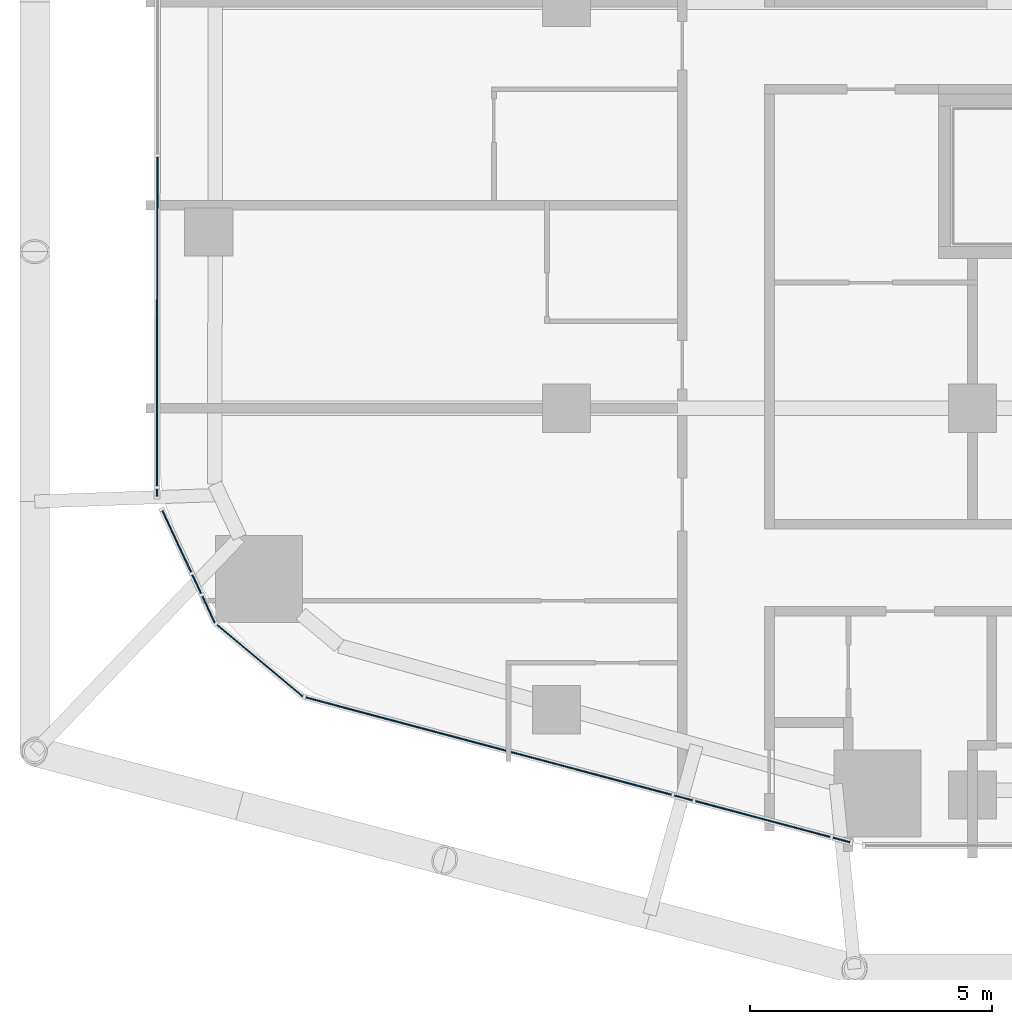
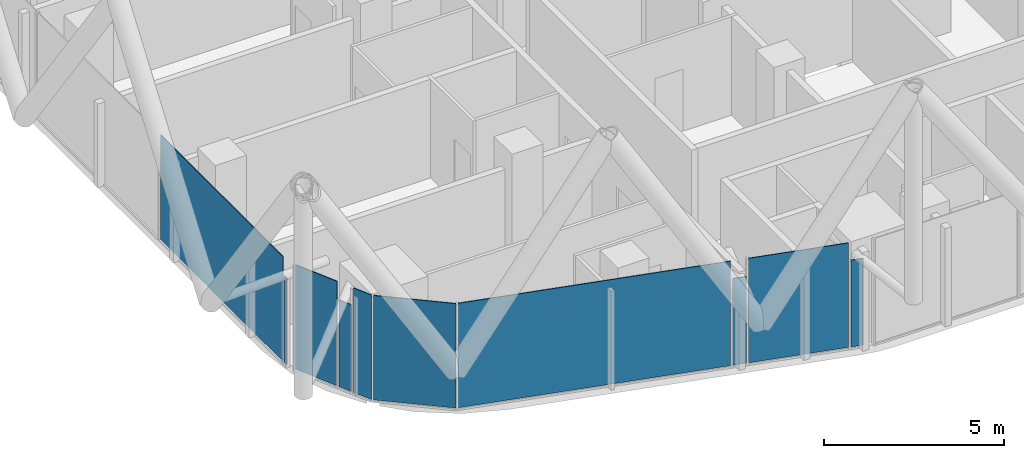
# One storey, part 19 of 38: 10 plates, 10 elements without a shape of their own.
"""IFC4 building model written with IfcOpenShell, lengths in metres."""

from ifc_helpers import new_model, si_unit, direction, frame, origin, origin_2d, place, context, subcontext, project, spatial, rectangle, extrude, material, layer, layer_set, type_object, element, aggregate, save


model = new_model("IFC4")

# Units and contexts
model_context = context("Model", 3, precision=1e-05, world=origin(), true_north=direction((0.0, 1.0)))
body_context = subcontext(model_context, "Body", "Model", "MODEL_VIEW")
ifc_project = project(units=[si_unit("LENGTHUNIT", "METRE"), si_unit("AREAUNIT", "SQUARE_METRE"), si_unit("VOLUMEUNIT", "CUBIC_METRE"), si_unit("PLANEANGLEUNIT", "RADIAN"), si_unit("MASSUNIT", "GRAM", prefix="KILO")], contexts=[model_context])

# Site, building, storey
site_placement = place(None, origin())
site = spatial("IfcSite", under=ifc_project, at=site_placement, CompositionType="ELEMENT")
building_placement = place(site_placement, origin())
building = spatial("IfcBuilding", under=site, at=building_placement, Name="Marenta Gate Hotel Tower", CompositionType="ELEMENT")
storey_placement = place(building_placement, frame((0.0, 0.0, 54.5)))
storey = spatial("IfcBuildingStorey", under=building, at=storey_placement, Name="L11", CompositionType="ELEMENT", Elevation=54.5)

# Curtain wall, plate
ifc_material_1 = material(Name="Tinted insulated glass in bronze anodised frame", Category="glass")
ifc_layer_1 = layer(ifc_material_1, 0.1201171875)
ifc_layer_set_1 = layer_set([ifc_layer_1], Name="Tinted insulated glass in bronze anodised frame")
curtain_wall_type = type_object("IfcCurtainWallType", Name="Tower unitised curtain wall CW1", PredefinedType="NOTDEFINED", material=ifc_layer_set_1)
curtain_wall_1_placement = place(storey_placement, origin())
curtain_wall_1 = element("IfcCurtainWall", 1, at=curtain_wall_1_placement, inside=storey, type_object=curtain_wall_type, Name="CW1 run G08", PredefinedType="NOTDEFINED")
ifc_material_2 = material(Name="Tinted insulated glass", Category="glass")
ifc_layer_2 = layer(ifc_material_2, 0.028076171875)
ifc_layer_set_2 = layer_set([ifc_layer_2], Name="Tinted insulated glass")
plate_type = type_object("IfcPlateType", Name="Glass panel CW1 28 mm tinted insulated unit", PredefinedType="CURTAIN_PANEL", material=ifc_layer_set_2)
plate_1_placement = place(storey_placement, frame((-29.467529296875, -6.60888671875, 0.06005859375), z_axis=(0.0, 0.0, 1.0), x_axis=(-0.00156461532, -0.999998775989, 0.0)))
plate_1 = element("IfcPlate", 2, at=plate_1_placement, type_object=plate_type, Name="CW1 panel 3.1", PredefinedType="CURTAIN_PANEL", context=body_context, shape_type="SweptSolid", body=[
    extrude(rectangle(XDim=6.80859375, YDim=0.028076171875, at=origin_2d()), origin(), (0.0, 0.0, 1.0), 3.5400390625),
])
aggregate(curtain_wall_1, [plate_1])

curtain_wall_2_placement = place(storey_placement, origin())
curtain_wall_2 = element("IfcCurtainWall", 3, at=curtain_wall_2_placement, inside=storey, type_object=curtain_wall_type, Name="CW1 run G09", PredefinedType="NOTDEFINED")
plate_2_placement = place(storey_placement, frame((-29.47314453125, -10.144775390625, 0.06005859375), z_axis=(0.0, 0.0, 1.0), x_axis=(-0.001523227487, -0.999998839888, 0.0)))
plate_2 = element("IfcPlate", 4, at=plate_2_placement, type_object=plate_type, Name="CW1 panel 1.1", PredefinedType="CURTAIN_PANEL", context=body_context, shape_type="SweptSolid", body=[
    extrude(rectangle(XDim=0.142578125, YDim=0.028076171875, at=origin_2d()), origin(), (0.0, 0.0, 1.0), 2.9404296875),
])
aggregate(curtain_wall_2, [plate_2])

curtain_wall_3_placement = place(storey_placement, origin())
curtain_wall_3 = element("IfcCurtainWall", 5, at=curtain_wall_3_placement, inside=storey, type_object=curtain_wall_type, Name="CW1 run G10", PredefinedType="NOTDEFINED")
plate_3_placement = place(storey_placement, frame((-29.0625, -11.15478515625, 0.06005859375), z_axis=(0.0, 0.0, 1.0), x_axis=(0.423374568314, -0.905954731156, 0.0)))
plate_3 = element("IfcPlate", 6, at=plate_3_placement, type_object=plate_type, Name="CW1 panel 1.1", PredefinedType="CURTAIN_PANEL", context=body_context, shape_type="SweptSolid", body=[
    extrude(rectangle(XDim=1.406005859375, YDim=0.028076171875, at=origin_2d()), origin(), (0.0, 0.0, 1.0), 3.5400390625),
])
aggregate(curtain_wall_3, [plate_3])

curtain_wall_4_placement = place(storey_placement, origin())
curtain_wall_4 = element("IfcCurtainWall", 7, at=curtain_wall_4_placement, inside=storey, type_object=curtain_wall_type, Name="CW1 run G11", PredefinedType="NOTDEFINED")
plate_4_placement = place(storey_placement, frame((-28.6494140625, -12.0390625, 0.06005859375), z_axis=(0.0, 0.0, 1.0), x_axis=(0.423268429691, -0.906004324729, 0.0)))
plate_4 = element("IfcPlate", 8, at=plate_4_placement, type_object=plate_type, Name="CW1 panel 1.1", PredefinedType="CURTAIN_PANEL", context=body_context, shape_type="SweptSolid", body=[
    extrude(rectangle(XDim=0.426025390625, YDim=0.028076171875, at=origin_2d()), origin(), (0.0, 0.0, 1.0), 2.9404296875),
])
aggregate(curtain_wall_4, [plate_4])

curtain_wall_5_placement = place(storey_placement, origin())
curtain_wall_5 = element("IfcCurtainWall", 9, at=curtain_wall_5_placement, inside=storey, type_object=curtain_wall_type, Name="CW1 run G12", PredefinedType="NOTDEFINED")
plate_5_placement = place(storey_placement, frame((-28.404052734375, -12.564208984375, 0.06005859375), z_axis=(0.0, 0.0, 1.0), x_axis=(0.423397949235, -0.905943804319, 0.0)))
plate_5 = element("IfcPlate", 10, at=plate_5_placement, type_object=plate_type, Name="CW1 panel 1.1", PredefinedType="CURTAIN_PANEL", context=body_context, shape_type="SweptSolid", body=[
    extrude(rectangle(XDim=0.61279296875, YDim=0.028076171875, at=origin_2d()), origin(), (0.0, 0.0, 1.0), 3.5400390625),
])
aggregate(curtain_wall_5, [plate_5])

curtain_wall_6_placement = place(storey_placement, origin())
curtain_wall_6 = element("IfcCurtainWall", 11, at=curtain_wall_6_placement, inside=storey, type_object=curtain_wall_type, Name="CW1 run G13", PredefinedType="NOTDEFINED")
plate_6_placement = place(storey_placement, frame((-27.33984375, -13.623291015625, 0.06005859375), z_axis=(0.0, 0.0, 1.0), x_axis=(0.767113012445, -0.641511984407, 0.0)))
plate_6 = element("IfcPlate", 12, at=plate_6_placement, type_object=plate_type, Name="CW1 panel 1.1", PredefinedType="CURTAIN_PANEL", context=body_context, shape_type="SweptSolid", body=[
    extrude(rectangle(XDim=2.316650390625, YDim=0.028076171875, at=origin_2d()), origin(), (0.0, 0.0, 1.0), 3.5400390625),
])
aggregate(curtain_wall_6, [plate_6])

curtain_wall_7_placement = place(storey_placement, origin())
curtain_wall_7 = element("IfcCurtainWall", 13, at=curtain_wall_7_placement, inside=storey, type_object=curtain_wall_type, Name="CW1 run G14", PredefinedType="NOTDEFINED")
plate_7_placement = place(storey_placement, frame((-22.60986328125, -15.388427734375, 0.06005859375), z_axis=(0.0, 0.0, 1.0), x_axis=(0.96637300589, -0.257144343682, 0.0)))
plate_7 = element("IfcPlate", 14, at=plate_7_placement, type_object=plate_type, Name="CW1 panel 1.1", PredefinedType="CURTAIN_PANEL", context=body_context, shape_type="SweptSolid", body=[
    extrude(rectangle(XDim=7.830078125, YDim=0.028076171875, at=origin_2d()), origin(), (0.0, 0.0, 1.0), 3.5400390625),
])
aggregate(curtain_wall_7, [plate_7])

curtain_wall_8_placement = place(storey_placement, origin())
curtain_wall_8 = element("IfcCurtainWall", 15, at=curtain_wall_8_placement, inside=storey, type_object=curtain_wall_type, Name="CW1 run G15", PredefinedType="NOTDEFINED")
plate_8_placement = place(storey_placement, frame((-18.57861328125, -16.461181640625, 0.06005859375), z_axis=(0.0, 0.0, 1.0), x_axis=(0.966370359942, -0.257154287199, 0.0)))
plate_8 = element("IfcPlate", 16, at=plate_8_placement, type_object=plate_type, Name="CW1 panel 1.1", PredefinedType="CURTAIN_PANEL", context=body_context, shape_type="SweptSolid", body=[
    extrude(rectangle(XDim=0.39306640625, YDim=0.028076171875, at=origin_2d()), origin(), (0.0, 0.0, 1.0), 2.9404296875),
])
aggregate(curtain_wall_8, [plate_8])

curtain_wall_9_placement = place(storey_placement, origin())
curtain_wall_9 = element("IfcCurtainWall", 17, at=curtain_wall_9_placement, inside=storey, type_object=curtain_wall_type, Name="CW1 run G16", PredefinedType="NOTDEFINED")
plate_9_placement = place(storey_placement, frame((-16.937255859375, -16.89794921875, 0.06005859375), z_axis=(0.0, 0.0, 1.0), x_axis=(0.966375739081, -0.257134071867, 0.0)))
plate_9 = element("IfcPlate", 18, at=plate_9_placement, type_object=plate_type, Name="CW1 panel 1.1", PredefinedType="CURTAIN_PANEL", context=body_context, shape_type="SweptSolid", body=[
    extrude(rectangle(XDim=2.884033203125, YDim=0.028076171875, at=origin_2d()), origin(), (0.0, 0.0, 1.0), 3.5400390625),
])
aggregate(curtain_wall_9, [plate_9])

curtain_wall_10_placement = place(storey_placement, origin())
curtain_wall_10 = element("IfcCurtainWall", 19, at=curtain_wall_10_placement, inside=storey, type_object=curtain_wall_type, Name="CW1 run G17", PredefinedType="NOTDEFINED")
plate_10_placement = place(storey_placement, frame((-15.309814453125, -17.3310546875, 0.06005859375), z_axis=(0.0, 0.0, 1.0), x_axis=(0.966388993927, -0.257084251591, 0.0)))
plate_10 = element("IfcPlate", 20, at=plate_10_placement, type_object=plate_type, Name="CW1 panel 1.1", PredefinedType="CURTAIN_PANEL", context=body_context, shape_type="SweptSolid", body=[
    extrude(rectangle(XDim=0.3642578125, YDim=0.028076171875, at=origin_2d()), origin(), (0.0, 0.0, 1.0), 2.9404296875),
])
aggregate(curtain_wall_10, [plate_10])

save(model, "model.ifc")
